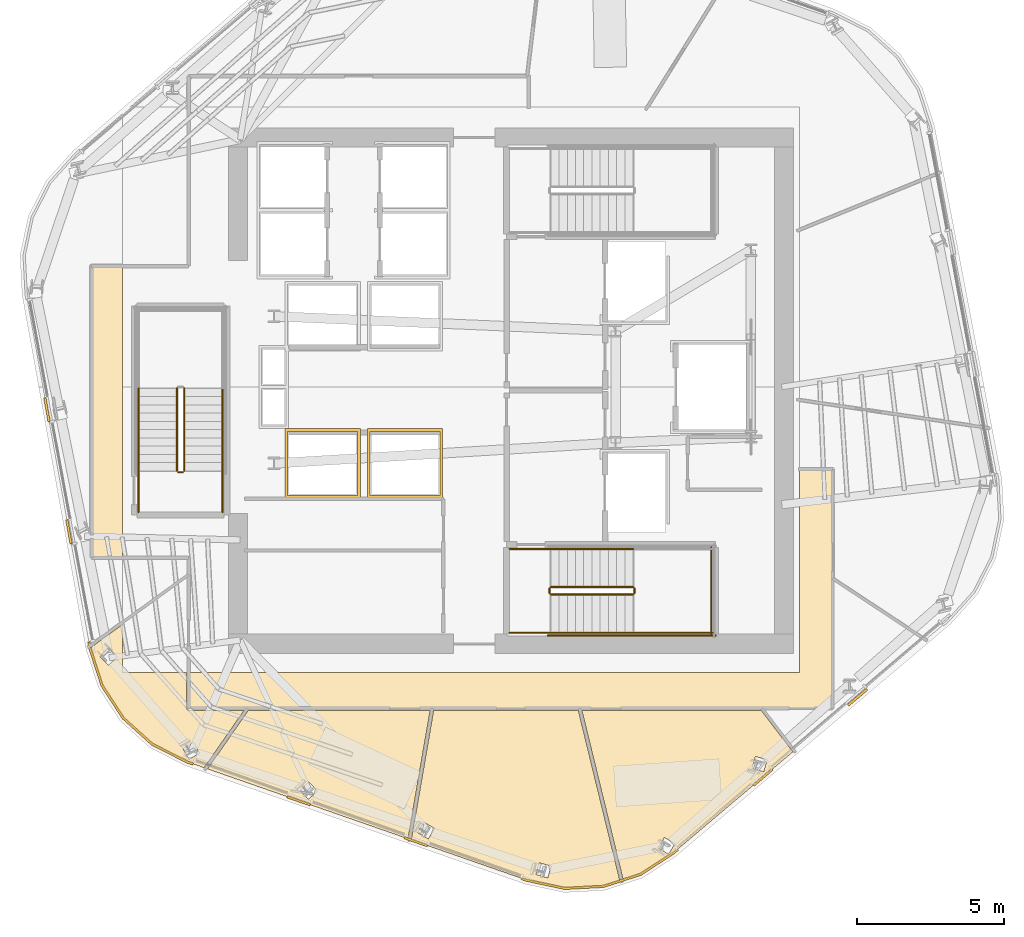
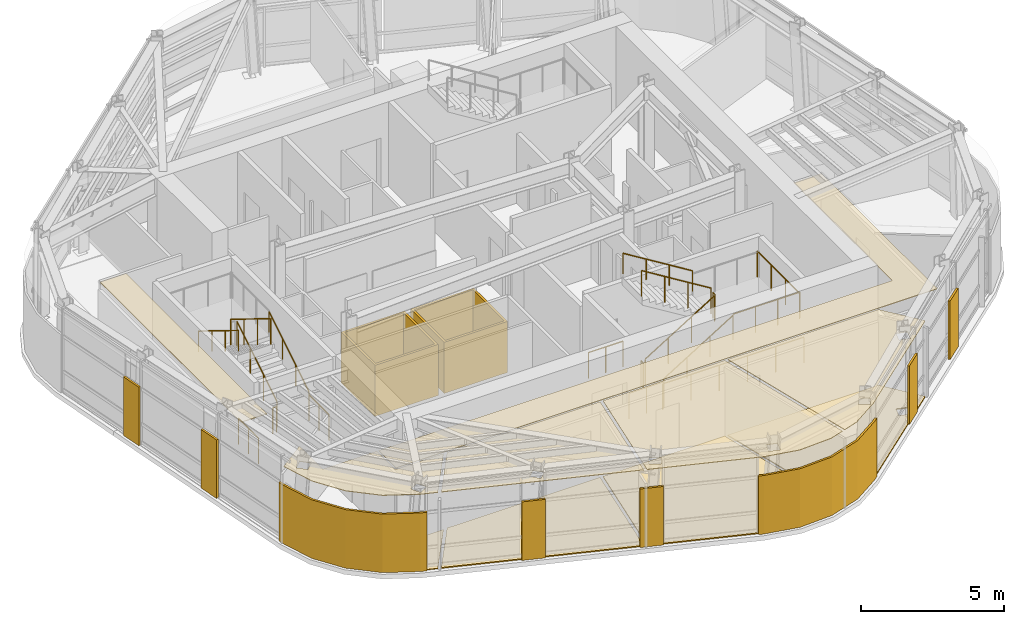
# One storey, part 10 of 14: 20 coverings, 18 railings.
"""IFC4 building model written with IfcOpenShell, lengths in metres."""

import ifcopenshell
import ifcopenshell.guid

model = None  # the IFC model being written
_history = None  # IfcOwnerHistory: only IFC2X3 demands one
_inside = {}  # id of a spatial element -> (the spatial element, [elements in it])
_under = {}  # id of a project, library or spatial element -> (it, [spatial elements below it])
_declared = {}  # id of a project -> (the project, [libraries it declares])
_typed = {}  # id of a type object -> (the type object, [elements of that type])
_made_of = {}  # id of a material, layer set ... -> (it, [elements and type objects made of it])


def new_model(schema):
    """Start an empty IFC model of exactly this schema.

    Asked for "IFC4X3", IfcOpenShell would pick the latest addendum, in which some entities
    have other attributes; the version numbers below select the first issue.
    IFC2X3 requires an IfcOwnerHistory on every rooted entity: one is made here for all.
    """
    global model, _history
    if schema == "IFC4X3":
        model = ifcopenshell.file(schema_version=(4, 3, 0, 0))
    else:
        model = ifcopenshell.file(schema=schema)
    _inside.clear()
    _under.clear()
    _declared.clear()
    _typed.clear()
    _made_of.clear()
    _history = None
    if model.schema == "IFC2X3":
        org = make("IfcOrganization", Name="unknown")
        user = make(
            "IfcPersonAndOrganization",
            ThePerson=make("IfcPerson", FamilyName="unknown"),
            TheOrganization=org,
        )
        app = make(
            "IfcApplication",
            ApplicationDeveloper=org,
            Version="unknown",
            ApplicationFullName="unknown",
            ApplicationIdentifier="unknown",
        )
        _history = make(
            "IfcOwnerHistory",
            OwningUser=user,
            OwningApplication=app,
            ChangeAction="ADDED",
            CreationDate=0,
        )
    return model


def make(cls, **values):
    """One entity of the class cls with the attributes given. An attribute that is None is left unset."""
    return model.create_entity(
        cls, **{name: value for name, value in values.items() if value is not None}
    )


def rooted(cls, **values):
    """An entity with a GlobalId (a new one), such as an element, a storey or a relation."""
    return make(cls, GlobalId=ifcopenshell.guid.new(), OwnerHistory=_history, **values)


def si_unit(unit_type, name, prefix=None):
    """IfcSIUnit, for example si_unit("LENGTHUNIT", "METRE", prefix="MILLI")."""
    return make("IfcSIUnit", UnitType=unit_type, Prefix=prefix, Name=name)


def assignment(units):
    """IfcUnitAssignment: the units of a project."""
    return None if units is None else make("IfcUnitAssignment", Units=units)


def point(xyz):
    """IfcCartesianPoint."""
    return None if xyz is None else make("IfcCartesianPoint", Coordinates=xyz)


def direction(xyz):
    """IfcDirection."""
    return None if xyz is None else make("IfcDirection", DirectionRatios=xyz)


def frame(location, z_axis=None, x_axis=None):
    """IfcAxis2Placement3D, a coordinate frame: its origin and axes. An axis left out is left unset."""
    return make(
        "IfcAxis2Placement3D",
        Location=point(location),
        Axis=direction(z_axis),
        RefDirection=direction(x_axis),
    )


def frame_2d(location, x_axis=None):
    """IfcAxis2Placement2D, a coordinate frame in the plane: its origin and x axis."""
    return make(
        "IfcAxis2Placement2D", Location=point(location), RefDirection=direction(x_axis)
    )


def origin():
    """The frame at (0, 0, 0) with its axes left unset."""
    return frame((0.0, 0.0, 0.0))


def origin_2d():
    """The frame at (0, 0) in the plane with its x axis left unset."""
    return frame_2d((0.0, 0.0))


def place(relative_to, where):
    """IfcLocalPlacement: puts the frame where relative to a parent placement (None: the world)."""
    return make(
        "IfcLocalPlacement", PlacementRelTo=relative_to, RelativePlacement=where
    )


def context(
    kind, dimensions, precision=None, world=None, true_north=None, identifier=None
):
    """IfcGeometricRepresentationContext, for example the 3D "Model" context."""
    return make(
        "IfcGeometricRepresentationContext",
        ContextIdentifier=identifier,
        ContextType=kind,
        CoordinateSpaceDimension=dimensions,
        Precision=precision,
        WorldCoordinateSystem=world,
        TrueNorth=true_north,
    )


def subcontext(parent, identifier, kind, view, scale=None):
    """IfcGeometricRepresentationSubContext, for example "Body" below "Model"."""
    return make(
        "IfcGeometricRepresentationSubContext",
        ContextIdentifier=identifier,
        ContextType=kind,
        ParentContext=parent,
        TargetScale=scale,
        TargetView=view,
    )


def project(units=None, contexts=None):
    """IfcProject with its units and contexts."""
    return rooted(
        "IfcProject",
        Name="project",
        RepresentationContexts=contexts,
        UnitsInContext=assignment(units),
    )


def spatial(cls, under=None, at=None, **own):
    """A site, building, storey or space (cls), placed at a placement, below another one or the project."""
    s = rooted(cls, ObjectPlacement=at, **own)
    if under is not None:
        _under.setdefault(under.id(), (under, []))[1].append(s)
    return s


def polyline(points):
    """IfcPolyline through the points."""
    return make("IfcPolyline", Points=[point(p) for p in points])


def profile(cls, at=None, kind="AREA", **sizes):
    """A parametric profile (cls). Its sizes go by their IFC names, for example OverallWidth=200.0."""
    return make(cls, ProfileType=kind, Position=at, **sizes)


def circle(**sizes):
    """IfcCircleProfileDef."""
    return profile("IfcCircleProfileDef", **sizes)


def outline(outer, holes=None, kind="AREA"):
    """IfcArbitraryClosedProfileDef: a profile drawn as a closed curve; with holes, ...WithVoids."""
    if holes is None:
        return make("IfcArbitraryClosedProfileDef", ProfileType=kind, OuterCurve=outer)
    return make(
        "IfcArbitraryProfileDefWithVoids",
        ProfileType=kind,
        OuterCurve=outer,
        InnerCurves=holes,
    )


def extrude(swept, where, along, depth):
    """IfcExtrudedAreaSolid: the profile swept, set in the frame where, extruded along a direction by depth."""
    return make(
        "IfcExtrudedAreaSolid",
        SweptArea=swept,
        Position=where,
        ExtrudedDirection=direction(along),
        Depth=depth,
    )


def shape(context_of_items, identifier, shape_type, items):
    """IfcShapeRepresentation: the items that make up one representation, for example the "Body"."""
    return make(
        "IfcShapeRepresentation",
        ContextOfItems=context_of_items,
        RepresentationIdentifier=identifier,
        RepresentationType=shape_type,
        Items=items,
    )


def material(Name=None, Category=None):
    """IfcMaterial."""
    return make("IfcMaterial", Name=Name, Category=Category)


def layer(
    of_material, thickness, ventilated=None, Name=None, Category=None, Priority=None
):
    """IfcMaterialLayer: one layer of a wall or slab, of a material (None: an air gap)."""
    return make(
        "IfcMaterialLayer",
        Material=of_material,
        LayerThickness=thickness,
        IsVentilated=ventilated,
        Name=Name,
        Category=Category,
        Priority=Priority,
    )


def layer_set(layers, Name=None):
    """IfcMaterialLayerSet."""
    return make("IfcMaterialLayerSet", MaterialLayers=layers, LayerSetName=Name)


def made_of(thing, what):
    """Note that an element or type object is made of a material, layer set ...; save() writes the relation."""
    if what is not None:
        _made_of.setdefault(what.id(), (what, []))[1].append(thing)
    return thing


def type_object(cls, material=None, **own):
    """A type object (cls), such as IfcWallType, which elements share."""
    return made_of(rooted(cls, **own), material)


def element(
    cls,
    number,
    at=None,
    inside=None,
    cuts=None,
    type_object=None,
    material=None,
    context=None,
    identifier="Body",
    shape_type=None,
    held_by="IfcProductDefinitionShape",
    body=None,
    shapes=None,
    **own,
):
    """One element of the class cls, such as IfcWall. Its Tag is "e" and its number.

    at: its placement. inside: the storey or other place that contains it. cuts: it is an
    opening in that element (IfcRelVoidsElement). A single representation is given by context,
    identifier, shape_type and body (its items); several are given by shapes. held_by: the class
    of the entity that holds the representations. save() writes the other relations.
    """
    e = rooted(cls, Tag="e%d" % number, ObjectPlacement=at, **own)
    if body is not None:
        shapes = [shape(context, identifier, shape_type, body)]
    if shapes is not None:
        e.Representation = make(held_by, Representations=shapes)
    if inside is not None:
        _inside.setdefault(inside.id(), (inside, []))[1].append(e)
    if cuts is not None:
        rooted(
            "IfcRelVoidsElement", RelatingBuildingElement=cuts, RelatedOpeningElement=e
        )
    if type_object is not None:
        _typed.setdefault(type_object.id(), (type_object, []))[1].append(e)
    return made_of(e, material)


def aggregate(whole, parts):
    """IfcRelAggregates: a whole, such as a stair, and the parts it consists of."""
    return rooted("IfcRelAggregates", RelatingObject=whole, RelatedObjects=parts)


def save(model, path):
    """Write the relations noted so far, then the file.

    IfcRelAggregates (storeys below a building ...), IfcRelContainedInSpatialStructure (elements
    in a storey), IfcRelDefinesByType, IfcRelAssociatesMaterial and IfcRelDeclares: one each for
    every whole, place, type object, material and project.
    """
    for whole, parts in _under.values():
        aggregate(whole, parts)
    for where, things in _inside.values():
        rooted(
            "IfcRelContainedInSpatialStructure",
            RelatedElements=things,
            RelatingStructure=where,
        )
    for kind, things in _typed.values():
        rooted("IfcRelDefinesByType", RelatedObjects=things, RelatingType=kind)
    for what, things in _made_of.values():
        rooted("IfcRelAssociatesMaterial", RelatedObjects=things, RelatingMaterial=what)
    for by, libraries in _declared.values():
        rooted("IfcRelDeclares", RelatingContext=by, RelatedDefinitions=libraries)
    model.write(path)


model = new_model("IFC4")

# Units and contexts
model_context = context("Model", 3, precision=1e-05, world=origin(), true_north=direction((0.0, 1.0)))
body_context = subcontext(model_context, "Body", "Model", "MODEL_VIEW")
ifc_project = project(units=[si_unit("LENGTHUNIT", "METRE"), si_unit("AREAUNIT", "SQUARE_METRE"), si_unit("VOLUMEUNIT", "CUBIC_METRE"), si_unit("PLANEANGLEUNIT", "RADIAN"), si_unit("MASSUNIT", "GRAM", prefix="KILO")], contexts=[model_context])

# Site, building, storey
site_placement = place(None, origin())
site = spatial("IfcSite", under=ifc_project, at=site_placement, CompositionType="ELEMENT")
building_placement = place(site_placement, origin())
building = spatial("IfcBuilding", under=site, at=building_placement, Name="Valkerne Bourse Tower", CompositionType="ELEMENT")
storey_placement = place(building_placement, frame((0.0, 0.0, 198.0)))
storey = spatial("IfcBuildingStorey", under=building, at=storey_placement, Name="L50", CompositionType="ELEMENT", Elevation=198.0)

# Coverings
ifc_material_1 = material(Name="Mineral Fiber Acoustic Ceiling Tile", Category="acoustic")
ifc_layer_1 = layer(ifc_material_1, 0.02490234375)
ifc_layer_set_1 = layer_set([ifc_layer_1], Name="Mineral Fiber Acoustic Ceiling Tile")
covering_type_1 = type_object("IfcCoveringType", Name="COV-CEIL-ACT", PredefinedType="CEILING", material=ifc_layer_set_1)
covering_1_placement = place(storey_placement, frame((0.0, 0.0, 3.25)))
element("IfcCovering", 1, at=covering_1_placement, inside=storey, type_object=covering_type_1, Name="L50 Suspended Ceiling 04", PredefinedType="CEILING", context=body_context, shape_type="SweptSolid", body=[
    extrude(outline(polyline([(33.62939453125, 15.751220703125), (32.910888671875, 16.85791015625), (32.4990234375, 18.13037109375), (33.60009765625, 18.925537109375), (33.60009765625, 17.300048828125), (35.781005859375, 17.300048828125), (35.781005859375, 16.07958984375), (35.787353515625, 16.05078125), (35.81396484375, 16.02099609375), (35.849365234375, 16.010986328125), (37.729248046875, 16.010986328125), (36.37548828125, 14.0625), (35.7939453125, 14.26513671875), (34.610107421875, 14.868408203125), (33.62939453125, 15.751220703125)]), holes=[polyline([(36.0185546875, 14.914306640625), (36.0166015625, 14.915771484375), (35.65625, 14.716552734375), (35.855712890625, 14.3544921875), (35.857666015625, 14.352783203125), (36.218017578125, 14.552001953125), (36.0185546875, 14.914306640625)]), polyline([(33.421142578125, 17.829833984375), (33.135498046875, 18.125244140625), (32.83740234375, 17.83740234375), (32.838623046875, 17.83544921875), (33.12451171875, 17.5400390625), (33.422607421875, 17.827880859375), (33.421142578125, 17.829833984375)])]), origin(), (0.0, 0.0, 1.0), 0.02490234375),
])
covering_2_placement = place(storey_placement, frame((0.0, 0.0, 3.25)))
element("IfcCovering", 2, at=covering_2_placement, inside=storey, type_object=covering_type_1, Name="L50 Suspended Ceiling 05", PredefinedType="CEILING", context=body_context, shape_type="SweptSolid", body=[
    extrude(outline(polyline([(44.052001953125, 16.010986328125), (43.298583984375, 11.6494140625), (36.4912109375, 14.022216796875), (37.872802734375, 16.010986328125), (44.052001953125, 16.010986328125)]), holes=[polyline([(39.933837890625, 13.573486328125), (39.931884765625, 13.574462890625), (39.633544921875, 13.29052734375), (39.91845703125, 12.990478515625), (39.92041015625, 12.989501953125), (40.21875, 13.2734375), (39.933837890625, 13.573486328125)])]), origin(), (0.0, 0.0, 1.0), 0.02490234375),
])
covering_3_placement = place(storey_placement, frame((0.0, 0.0, 3.25)))
element("IfcCovering", 3, at=covering_3_placement, inside=storey, type_object=covering_type_1, Name="L50 Suspended Ceiling 06", PredefinedType="CEILING", context=body_context, shape_type="SweptSolid", body=[
    extrude(outline(polyline([(50.61083984375, 10.25537109375), (49.207763671875, 16.010986328125), (55.302001953125, 16.010986328125), (56.37158203125, 14.601806640625), (52.313720703125, 11.17041015625), (51.198486328125, 10.4462890625), (50.61083984375, 10.25537109375)]), holes=[polyline([(52.361572265625, 11.480712890625), (52.009521484375, 11.69384765625), (52.007080078125, 11.693115234375), (51.793701171875, 11.338623046875), (52.145751953125, 11.12548828125), (52.14794921875, 11.126220703125), (52.361572265625, 11.480712890625)]), polyline([(55.499755859375, 14.328857421875), (55.105224609375, 14.44580078125), (55.103271484375, 14.444580078125), (54.986572265625, 14.04736328125), (55.381103515625, 13.930419921875), (55.383056640625, 13.931640625), (55.499755859375, 14.328857421875)])]), origin(), (0.0, 0.0, 1.0), 0.02490234375),
])
covering_4_placement = place(storey_placement, frame((0.0, 0.0, 3.25)))
element("IfcCovering", 4, at=covering_4_placement, inside=storey, type_object=covering_type_1, Name="L50 Suspended Ceiling 07", PredefinedType="CEILING", context=body_context, shape_type="SweptSolid", body=[
    extrude(outline(polyline([(47.325439453125, 10.245849609375), (43.41162109375, 11.610107421875), (44.171630859375, 16.010986328125), (49.086181640625, 16.010986328125), (50.498291015625, 10.21875), (49.943603515625, 10.03857421875), (48.6259765625, 9.969482421875), (47.325439453125, 10.245849609375)]), holes=[polyline([(43.84326171875, 12.21240234375), (43.841064453125, 12.212890625), (43.63134765625, 11.8583984375), (43.987060546875, 11.6474609375), (43.9892578125, 11.64697265625), (44.198974609375, 12.001220703125), (43.84326171875, 12.21240234375)]), polyline([(48.16064453125, 10.71875), (47.76318359375, 10.832763671875), (47.7607421875, 10.83251953125), (47.647705078125, 10.436767578125), (48.045166015625, 10.322509765625), (48.047607421875, 10.32275390625), (48.16064453125, 10.71875)])]), origin(), (0.0, 0.0, 1.0), 0.02490234375),
])
ifc_material_2 = material(Name="Bronze Anodised Aluminium AA 6063-T6", Category="aluminium")
ifc_layer_2 = layer(ifc_material_2, 0.030029296875)
ifc_layer_set_2 = layer_set([ifc_layer_2], Name="Bronze Anodised Aluminium AA 6063-T6")
covering_type_2 = type_object("IfcCoveringType", Name="COV-CEIL-METAL", PredefinedType="CEILING", material=ifc_layer_set_2)
covering_5_placement = place(storey_placement, frame((0.0, 0.0, 3.25)))
element("IfcCovering", 5, at=covering_5_placement, inside=storey, type_object=covering_type_2, Name="L50 Suspended Ceiling 01", PredefinedType="CEILING", context=body_context, shape_type="SweptSolid", body=[
    extrude(outline(polyline([(35.85400390625, 17.300048828125), (56.60009765625, 17.300048828125), (56.60009765625, 24.196044921875), (57.716064453125, 24.196044921875), (57.716064453125, 16.083984375), (35.85400390625, 16.083984375), (35.85400390625, 17.300048828125)])), origin(), (0.0, 0.0, 1.0), 0.02490234375),
])
covering_6_placement = place(storey_placement, frame((0.0, 0.0, 3.25)))
element("IfcCovering", 6, at=covering_6_placement, inside=storey, type_object=covering_type_2, Name="L50 Suspended Ceiling 02", PredefinedType="CEILING", context=body_context, shape_type="SweptSolid", body=[
    extrude(outline(polyline([(32.553955078125, 21.2041015625), (32.553955078125, 21.865234375), (32.58837890625, 21.884521484375), (32.587646484375, 21.88671875), (32.553955078125, 21.9462890625), (32.553955078125, 31.095947265625), (33.60009765625, 31.095947265625), (33.60009765625, 21.2041015625), (32.553955078125, 21.2041015625)])), origin(), (0.0, 0.0, 1.0), 0.02490234375),
])
ifc_layer_3 = layer(ifc_material_2, 0.06005859375)
ifc_layer_set_3 = layer_set([ifc_layer_3], Name="Bronze Anodised Aluminium AA 6063-T6")
covering_type_3 = type_object("IfcCoveringType", Name="COV-CRN-ALUM", PredefinedType="CLADDING", material=ifc_layer_set_3)
covering_7_placement = place(storey_placement, origin())
element("IfcCovering", 7, at=covering_7_placement, inside=storey, type_object=covering_type_3, Name="L50 Wind-Shaped Corner Aluminium Cladding 02", PredefinedType="CLADDING", context=body_context, shape_type="SweptSolid", body=[
    extrude(outline(polyline([(58.278564453125, 16.156494140625), (58.2265625, 16.21728515625), (58.867919921875, 16.759521484375), (58.919921875, 16.69873046875), (58.278564453125, 16.156494140625)])), origin(), (0.0, 0.0, 1.0), 2.5),
])
covering_8_placement = place(storey_placement, origin())
element("IfcCovering", 8, at=covering_8_placement, inside=storey, type_object=covering_type_3, Name="L50 Wind-Shaped Corner Aluminium Cladding 03", PredefinedType="CLADDING", context=body_context, shape_type="SweptSolid", body=[
    extrude(outline(polyline([(55.06201171875, 13.436767578125), (55.01025390625, 13.49755859375), (55.651611328125, 14.0400390625), (55.70361328125, 13.979248046875), (55.06201171875, 13.436767578125)])), origin(), (0.0, 0.0, 1.0), 2.5),
])
covering_9_placement = place(storey_placement, origin())
element("IfcCovering", 9, at=covering_9_placement, inside=storey, type_object=covering_type_3, Name="L50 Wind-Shaped Corner Aluminium Cladding 04", PredefinedType="CLADDING", context=body_context, shape_type="SweptSolid", body=[
    extrude(outline(polyline([(52.33984375, 11.135009765625), (51.2177734375, 10.40625), (49.95166015625, 9.994873046875), (48.622314453125, 9.92529296875), (47.313720703125, 10.203369140625), (47.13134765625, 10.266845703125), (47.158203125, 10.34228515625), (47.335205078125, 10.280517578125), (48.628662109375, 10.005615234375), (49.93701171875, 10.07421875), (51.182861328125, 10.47900390625), (52.2919921875, 11.19921875), (52.435302734375, 11.3203125), (52.4873046875, 11.259521484375), (52.33984375, 11.135009765625)])), origin(), (0.0, 0.0, 1.0), 2.5),
])
covering_10_placement = place(storey_placement, origin())
element("IfcCovering", 10, at=covering_10_placement, inside=storey, type_object=covering_type_3, Name="L50 Wind-Shaped Corner Aluminium Cladding 05", PredefinedType="CLADDING", context=body_context, shape_type="SweptSolid", body=[
    extrude(outline(polyline([(43.154052734375, 11.6533203125), (43.180908203125, 11.728515625), (43.97412109375, 11.4521484375), (43.947265625, 11.376708984375), (43.154052734375, 11.6533203125)])), origin(), (0.0, 0.0, 1.0), 2.5),
])
covering_11_placement = place(storey_placement, origin())
element("IfcCovering", 11, at=covering_11_placement, inside=storey, type_object=covering_type_3, Name="L50 Wind-Shaped Corner Aluminium Cladding 06", PredefinedType="CLADDING", context=body_context, shape_type="SweptSolid", body=[
    extrude(outline(polyline([(39.1767578125, 13.03955078125), (39.203369140625, 13.114990234375), (39.99658203125, 12.83837890625), (39.969970703125, 12.76318359375), (39.1767578125, 13.03955078125)])), origin(), (0.0, 0.0, 1.0), 2.5),
])
covering_12_placement = place(storey_placement, origin())
element("IfcCovering", 12, at=covering_12_placement, inside=storey, type_object=covering_type_3, Name="L50 Wind-Shaped Corner Aluminium Cladding 07", PredefinedType="CLADDING", context=body_context, shape_type="SweptSolid", body=[
    extrude(outline(polyline([(35.776611328125, 14.224609375), (34.5849609375, 14.831787109375), (33.595703125, 15.722412109375), (32.870849609375, 16.8388671875), (32.45751953125, 18.11083984375), (32.4169921875, 18.335693359375), (32.49560546875, 18.350341796875), (32.535400390625, 18.130615234375), (32.943603515625, 16.873779296875), (33.6572265625, 15.77490234375), (34.630615234375, 14.898193359375), (35.80810546875, 14.29833984375), (36.01904296875, 14.224853515625), (35.992431640625, 14.1494140625), (35.776611328125, 14.224609375)])), origin(), (0.0, 0.0, 1.0), 2.5),
])
covering_13_placement = place(storey_placement, origin())
element("IfcCovering", 13, at=covering_13_placement, inside=storey, type_object=covering_type_3, Name="L50 Wind-Shaped Corner Aluminium Cladding 08", PredefinedType="CLADDING", context=body_context, shape_type="SweptSolid", body=[
    extrude(outline(polyline([(31.669921875, 22.481201171875), (31.74853515625, 22.49560546875), (31.897705078125, 21.6689453125), (31.81884765625, 21.654296875), (31.669921875, 22.481201171875)])), origin(), (0.0, 0.0, 1.0), 2.5),
])
covering_14_placement = place(storey_placement, origin())
element("IfcCovering", 14, at=covering_14_placement, inside=storey, type_object=covering_type_3, Name="L50 Wind-Shaped Corner Aluminium Cladding 09", PredefinedType="CLADDING", context=body_context, shape_type="SweptSolid", body=[
    extrude(outline(polyline([(30.9228515625, 26.62646484375), (31.00146484375, 26.640869140625), (31.150390625, 25.814208984375), (31.07177734375, 25.7998046875), (30.9228515625, 26.62646484375)])), origin(), (0.0, 0.0, 1.0), 2.5),
])
ifc_material_3 = material(Name="Galvanised Painted Steel", Category="steel")
ifc_layer_4 = layer(ifc_material_3, 0.044921875)
ifc_layer_set_4 = layer_set([ifc_layer_4], Name="Galvanised Painted Steel")
covering_type_4 = type_object("IfcCoveringType", Name="COV-FLR-RAF", PredefinedType="FLOORING", material=ifc_layer_set_4)
covering_15_placement = place(storey_placement, origin())
element("IfcCovering", 15, at=covering_15_placement, inside=storey, type_object=covering_type_4, Name="L50 Floor Finish 05", PredefinedType="FLOORING", context=body_context, shape_type="SweptSolid", body=[
    extrude(outline(polyline([(44.052001953125, 16.010986328125), (43.298583984375, 11.6494140625), (36.4912109375, 14.022216796875), (37.872802734375, 16.010986328125), (44.052001953125, 16.010986328125)]), holes=[polyline([(39.933837890625, 13.573486328125), (39.931884765625, 13.574462890625), (39.633544921875, 13.29052734375), (39.91845703125, 12.990478515625), (39.92041015625, 12.989501953125), (40.21875, 13.2734375), (39.933837890625, 13.573486328125)])]), origin(), (0.0, 0.0, 1.0), 0.044921875),
])
covering_16_placement = place(storey_placement, origin())
element("IfcCovering", 16, at=covering_16_placement, inside=storey, type_object=covering_type_4, Name="L50 Floor Finish 06", PredefinedType="FLOORING", context=body_context, shape_type="SweptSolid", body=[
    extrude(outline(polyline([(50.61083984375, 10.25537109375), (49.207763671875, 16.010986328125), (55.302001953125, 16.010986328125), (56.37158203125, 14.601806640625), (52.313720703125, 11.17041015625), (51.198486328125, 10.4462890625), (50.61083984375, 10.25537109375)]), holes=[polyline([(52.361572265625, 11.480712890625), (52.009521484375, 11.69384765625), (52.007080078125, 11.693115234375), (51.793701171875, 11.338623046875), (52.145751953125, 11.12548828125), (52.14794921875, 11.126220703125), (52.361572265625, 11.480712890625)]), polyline([(55.499755859375, 14.328857421875), (55.105224609375, 14.44580078125), (55.103271484375, 14.444580078125), (54.986572265625, 14.04736328125), (55.381103515625, 13.930419921875), (55.383056640625, 13.931640625), (55.499755859375, 14.328857421875)])]), origin(), (0.0, 0.0, 1.0), 0.044921875),
])
covering_17_placement = place(storey_placement, origin())
element("IfcCovering", 17, at=covering_17_placement, inside=storey, type_object=covering_type_4, Name="L50 Floor Finish 07", PredefinedType="FLOORING", context=body_context, shape_type="SweptSolid", body=[
    extrude(outline(polyline([(47.325439453125, 10.245849609375), (43.41162109375, 11.610107421875), (44.171630859375, 16.010986328125), (49.086181640625, 16.010986328125), (50.498291015625, 10.21875), (49.943603515625, 10.03857421875), (48.6259765625, 9.969482421875), (47.325439453125, 10.245849609375)]), holes=[polyline([(43.84326171875, 12.21240234375), (43.841064453125, 12.212890625), (43.63134765625, 11.8583984375), (43.987060546875, 11.6474609375), (43.9892578125, 11.64697265625), (44.198974609375, 12.001220703125), (43.84326171875, 12.21240234375)]), polyline([(48.16064453125, 10.71875), (47.76318359375, 10.832763671875), (47.7607421875, 10.83251953125), (47.647705078125, 10.436767578125), (48.045166015625, 10.322509765625), (48.047607421875, 10.32275390625), (48.16064453125, 10.71875)])]), origin(), (0.0, 0.0, 1.0), 0.044921875),
])
ifc_material_4 = material(Name="Polished Granite Stone", Category="masonry")
ifc_layer_5 = layer(ifc_material_4, 0.030029296875)
ifc_layer_set_5 = layer_set([ifc_layer_5], Name="Polished Granite Stone")
covering_type_5 = type_object("IfcCoveringType", Name="COV-FLR-TERRAZZO", PredefinedType="FLOORING", material=ifc_layer_set_5)
covering_18_placement = place(storey_placement, origin())
element("IfcCovering", 18, at=covering_18_placement, inside=storey, type_object=covering_type_5, Name="L50 Floor Finish 04", PredefinedType="FLOORING", context=body_context, shape_type="SweptSolid", body=[
    extrude(outline(polyline([(33.62939453125, 15.751220703125), (32.910888671875, 16.85791015625), (32.4990234375, 18.13037109375), (33.60009765625, 18.925537109375), (33.60009765625, 17.300048828125), (35.781005859375, 17.300048828125), (35.781005859375, 16.07958984375), (35.787353515625, 16.05078125), (35.81396484375, 16.02099609375), (35.849365234375, 16.010986328125), (37.729248046875, 16.010986328125), (36.37548828125, 14.0625), (35.7939453125, 14.26513671875), (34.610107421875, 14.868408203125), (33.62939453125, 15.751220703125)]), holes=[polyline([(36.0185546875, 14.914306640625), (36.0166015625, 14.915771484375), (35.65625, 14.716552734375), (35.855712890625, 14.3544921875), (35.857666015625, 14.352783203125), (36.218017578125, 14.552001953125), (36.0185546875, 14.914306640625)]), polyline([(33.421142578125, 17.829833984375), (33.135498046875, 18.125244140625), (32.83740234375, 17.83740234375), (32.838623046875, 17.83544921875), (33.12451171875, 17.5400390625), (33.422607421875, 17.827880859375), (33.421142578125, 17.829833984375)])]), origin(), (0.0, 0.0, 1.0), 0.030029296875),
])
ifc_material_5 = material(Name="Gypsum Shaftwall Liner Board", Category="gypsum")
ifc_layer_6 = layer(ifc_material_5, 0.080078125)
ifc_layer_set_6 = layer_set([ifc_layer_6], Name="Gypsum Shaftwall Liner Board")
covering_type_6 = type_object("IfcCoveringType", Name="COV-SHF-CLAD", PredefinedType="CLADDING", material=ifc_layer_set_6)
covering_19_placement = place(storey_placement, origin())
element("IfcCovering", 19, at=covering_19_placement, inside=storey, type_object=covering_type_6, Name="L50 Hoistway & Riser Shaftwall Liner 01", PredefinedType="CLADDING", context=body_context, shape_type="SweptSolid", body=[
    extrude(outline(polyline([(41.679931640625, 25.580078125), (41.679931640625, 23.219970703125), (39.1201171875, 23.219970703125), (39.1201171875, 25.580078125), (41.679931640625, 25.580078125)]), holes=[polyline([(41.590087890625, 25.489990234375), (39.2099609375, 25.489990234375), (39.2099609375, 23.31005859375), (41.590087890625, 23.31005859375), (41.590087890625, 25.489990234375)])]), origin(), (0.0, 0.0, 1.0), 2.179931640625),
])
covering_20_placement = place(storey_placement, origin())
element("IfcCovering", 20, at=covering_20_placement, inside=storey, type_object=covering_type_6, Name="L50 Hoistway & Riser Shaftwall Liner 02", PredefinedType="CLADDING", context=body_context, shape_type="SweptSolid", body=[
    extrude(outline(polyline([(44.47998046875, 23.219970703125), (41.919921875, 23.219970703125), (41.919921875, 25.580078125), (44.47998046875, 25.580078125), (44.47998046875, 23.219970703125)]), holes=[polyline([(42.010009765625, 25.489990234375), (42.010009765625, 23.31005859375), (44.389892578125, 23.31005859375), (44.389892578125, 25.489990234375), (42.010009765625, 25.489990234375)])]), origin(), (0.0, 0.0, 1.0), 2.179931640625),
])

# Railings
railing_type_1 = type_object("IfcRailingType", Name="RLG-ST-GUARD-1120", PredefinedType="GUARDRAIL", material=ifc_material_3)
railing_1_placement = place(storey_placement, frame((48.14990234375, 19.949951171875, 0.172607421875)))
element("IfcRailing", 21, at=railing_1_placement, inside=storey, type_object=railing_type_1, Name="L50 ST-1 stair guard 1", PredefinedType="GUARDRAIL", context=body_context, shape_type="SweptSolid", body=[
    extrude(circle(Radius=0.02392578125, at=origin_2d()), frame((0.0, 0.0, 1.09619140625), z_axis=(0.851089632645, 0.0, 0.525020415988), x_axis=(0.0, 1.0, 0.0)), (0.0, 0.0, 1.0), 3.2900390625),
    extrude(circle(Radius=0.02099609375, at=origin_2d()), origin(), (0.0, 0.0, 1.0), 1.072021484375),
    extrude(circle(Radius=0.02099609375, at=origin_2d()), frame((0.933349609375, 0.0, 0.57568359375)), (0.0, 0.0, 1.0), 1.072021484375),
    extrude(circle(Radius=0.02099609375, at=origin_2d()), frame((1.86669921875, 0.0, 1.151611328125)), (0.0, 0.0, 1.0), 1.072021484375),
    extrude(circle(Radius=0.02099609375, at=origin_2d()), frame((2.800048828125, 0.0, 1.727294921875)), (0.0, 0.0, 1.0), 1.072021484375),
])
railing_2_placement = place(storey_placement, frame((51.0, 20.0, 1.89990234375)))
element("IfcRailing", 22, at=railing_2_placement, inside=storey, type_object=railing_type_1, Name="L50 ST-1 stair guard 2", PredefinedType="GUARDRAIL", context=body_context, shape_type="SweptSolid", body=[
    extrude(circle(Radius=0.02392578125, at=origin_2d()), frame((0.0, 0.0, 1.09619140625), z_axis=(0.0, 1.0, 0.0), x_axis=(-1.0, 0.0, 0.0)), (0.0, 0.0, 1.0), 0.14990234375),
    extrude(circle(Radius=0.02099609375, at=origin_2d()), origin(), (0.0, 0.0, 1.0), 1.072021484375),
    extrude(circle(Radius=0.02099609375, at=origin_2d()), frame((0.0, 0.14990234375, 0.0)), (0.0, 0.0, 1.0), 1.072021484375),
])
railing_3_placement = place(storey_placement, frame((50.949951171875, 18.64990234375, 1.89990234375)))
element("IfcRailing", 23, at=railing_3_placement, inside=storey, type_object=railing_type_1, Name="L50 ST-1 stair guard 3", PredefinedType="GUARDRAIL", context=body_context, shape_type="SweptSolid", body=[
    extrude(circle(Radius=0.02392578125, at=origin_2d()), frame((0.0, 0.0, 1.09619140625), z_axis=(1.0, 0.0, 0.0), x_axis=(0.0, 1.0, 0.0)), (0.0, 0.0, 1.0), 2.699951171875),
    extrude(circle(Radius=0.02099609375, at=origin_2d()), origin(), (0.0, 0.0, 1.0), 1.072021484375),
    extrude(circle(Radius=0.02099609375, at=origin_2d()), frame((0.89990234375, 0.0, 0.0)), (0.0, 0.0, 1.0), 1.072021484375),
    extrude(circle(Radius=0.02099609375, at=origin_2d()), frame((1.800048828125, 0.0, 0.0)), (0.0, 0.0, 1.0), 1.072021484375),
    extrude(circle(Radius=0.02099609375, at=origin_2d()), frame((2.699951171875, 0.0, 0.0)), (0.0, 0.0, 1.0), 1.072021484375),
])
railing_4_placement = place(storey_placement, frame((53.60009765625, 18.60009765625, 1.89990234375)))
element("IfcRailing", 24, at=railing_4_placement, inside=storey, type_object=railing_type_1, Name="L50 ST-1 stair guard 5", PredefinedType="GUARDRAIL", context=body_context, shape_type="SweptSolid", body=[
    extrude(circle(Radius=0.02392578125, at=origin_2d()), frame((0.0, 0.0, 1.09619140625), z_axis=(0.0, 1.0, 0.0), x_axis=(-1.0, 0.0, 0.0)), (0.0, 0.0, 1.0), 2.949951171875),
    extrude(circle(Radius=0.02099609375, at=origin_2d()), origin(), (0.0, 0.0, 1.0), 1.072021484375),
    extrude(circle(Radius=0.02099609375, at=origin_2d()), frame((0.0, 0.9833984375, 0.0)), (0.0, 0.0, 1.0), 1.072021484375),
    extrude(circle(Radius=0.02099609375, at=origin_2d()), frame((0.0, 1.966552734375, 0.0)), (0.0, 0.0, 1.0), 1.072021484375),
    extrude(circle(Radius=0.02099609375, at=origin_2d()), frame((0.0, 2.949951171875, 0.0)), (0.0, 0.0, 1.0), 1.072021484375),
])
railing_5_placement = place(storey_placement, frame((50.949951171875, 20.199951171875, 2.07275390625)))
element("IfcRailing", 25, at=railing_5_placement, inside=storey, type_object=railing_type_1, Name="L50 ST-1 stair guard 6", PredefinedType="GUARDRAIL", context=body_context, shape_type="SweptSolid", body=[
    extrude(circle(Radius=0.02392578125, at=origin_2d()), frame((0.0, 0.0, 1.09619140625), z_axis=(-0.851089632645, 0.0, 0.525020415988), x_axis=(0.0, -1.0, 0.0)), (0.0, 0.0, 1.0), 3.2900390625),
    extrude(circle(Radius=0.02099609375, at=origin_2d()), origin(), (0.0, 0.0, 1.0), 1.072021484375),
    extrude(circle(Radius=0.02099609375, at=origin_2d()), frame((-0.933349609375, 0.0, 0.57568359375)), (0.0, 0.0, 1.0), 1.072021484375),
    extrude(circle(Radius=0.02099609375, at=origin_2d()), frame((-1.86669921875, 0.0, 1.151611328125)), (0.0, 0.0, 1.0), 1.072021484375),
    extrude(circle(Radius=0.02099609375, at=origin_2d()), frame((-2.800048828125, 0.0, 1.727294921875)), (0.0, 0.0, 1.0), 1.072021484375),
])
railing_6_placement = place(storey_placement, frame((48.10009765625, 20.0, 0.0)))
element("IfcRailing", 26, at=railing_6_placement, inside=storey, type_object=railing_type_1, Name="L50 ST-1 stair guard 7", PredefinedType="GUARDRAIL", context=body_context, shape_type="SweptSolid", body=[
    extrude(circle(Radius=0.02392578125, at=origin_2d()), frame((0.0, 0.0, 1.09619140625), z_axis=(0.0, 1.0, 0.0), x_axis=(-1.0, 0.0, 0.0)), (0.0, 0.0, 1.0), 0.14990234375),
    extrude(circle(Radius=0.02099609375, at=origin_2d()), origin(), (0.0, 0.0, 1.0), 1.072021484375),
    extrude(circle(Radius=0.02099609375, at=origin_2d()), frame((0.0, 0.14990234375, 0.0)), (0.0, 0.0, 1.0), 1.072021484375),
])
for number, where, name in (
    (27, (46.75, 18.64990234375, 0.0), "L50 ST-1 stair guard 8"),
    (28, (46.75, 21.5, 0.0), "L50 ST-1 stair guard 9"),
):
    element("IfcRailing", number, at=place(storey_placement, frame(where)), inside=storey, type_object=railing_type_1, Name=name, PredefinedType="GUARDRAIL", context=body_context, shape_type="SweptSolid", body=[
        extrude(circle(Radius=0.02392578125, at=origin_2d()), frame((0.0, 0.0, 1.09619140625), z_axis=(1.0, 0.0, 0.0), x_axis=(0.0, 1.0, 0.0)), (0.0, 0.0, 1.0), 1.39990234375),
        extrude(circle(Radius=0.02099609375, at=origin_2d()), origin(), (0.0, 0.0, 1.0), 1.072021484375),
        extrude(circle(Radius=0.02099609375, at=origin_2d()), frame((0.699951171875, 0.0, 0.0)), (0.0, 0.0, 1.0), 1.072021484375),
        extrude(circle(Radius=0.02099609375, at=origin_2d()), frame((1.39990234375, 0.0, 0.0)), (0.0, 0.0, 1.0), 1.072021484375),
    ])
railing_7_placement = place(storey_placement, frame((48.050048828125, 18.550048828125, 0.0)))
element("IfcRailing", 29, at=railing_7_placement, inside=storey, type_object=railing_type_1, Name="L50 ST-1 stair guard 10", PredefinedType="GUARDRAIL", context=body_context, shape_type="SweptSolid", body=[
    extrude(circle(Radius=0.02392578125, at=origin_2d()), frame((0.0, 0.0, 1.09619140625), z_axis=(1.0, 0.0, 0.0), x_axis=(0.0, 1.0, 0.0)), (0.0, 0.0, 1.0), 5.699951171875),
    extrude(circle(Radius=0.02099609375, at=origin_2d()), origin(), (0.0, 0.0, 1.0), 1.072021484375),
    extrude(circle(Radius=0.02099609375, at=origin_2d()), frame((1.139892578125, 0.0, 0.0)), (0.0, 0.0, 1.0), 1.072021484375),
    extrude(circle(Radius=0.02099609375, at=origin_2d()), frame((2.280029296875, 0.0, 0.0)), (0.0, 0.0, 1.0), 1.072021484375),
    extrude(circle(Radius=0.02099609375, at=origin_2d()), frame((3.419921875, 0.0, 0.0)), (0.0, 0.0, 1.0), 1.072021484375),
    extrude(circle(Radius=0.02099609375, at=origin_2d()), frame((4.56005859375, 0.0, 0.0)), (0.0, 0.0, 1.0), 1.072021484375),
    extrude(circle(Radius=0.02099609375, at=origin_2d()), frame((5.699951171875, 0.0, 0.0)), (0.0, 0.0, 1.0), 1.072021484375),
])
railing_8_placement = place(storey_placement, frame((35.699951171875, 24.14990234375, 0.172607421875)))
element("IfcRailing", 30, at=railing_8_placement, inside=storey, type_object=railing_type_1, Name="L50 ST-3 stair guard 1", PredefinedType="GUARDRAIL", context=body_context, shape_type="SweptSolid", body=[
    extrude(circle(Radius=0.02392578125, at=origin_2d()), frame((0.0, 0.0, 1.09619140625), z_axis=(0.0, 0.851089632645, 0.525020415988), x_axis=(-1.0, 0.0, 0.0)), (0.0, 0.0, 1.0), 3.2900390625),
    extrude(circle(Radius=0.02099609375, at=origin_2d()), origin(), (0.0, 0.0, 1.0), 1.072021484375),
    extrude(circle(Radius=0.02099609375, at=origin_2d()), frame((0.0, 0.933349609375, 0.57568359375)), (0.0, 0.0, 1.0), 1.072021484375),
    extrude(circle(Radius=0.02099609375, at=origin_2d()), frame((0.0, 1.86669921875, 1.151611328125)), (0.0, 0.0, 1.0), 1.072021484375),
    extrude(circle(Radius=0.02099609375, at=origin_2d()), frame((0.0, 2.800048828125, 1.727294921875)), (0.0, 0.0, 1.0), 1.072021484375),
])
railing_9_placement = place(storey_placement, frame((35.449951171875, 26.949951171875, 2.07275390625)))
element("IfcRailing", 31, at=railing_9_placement, inside=storey, type_object=railing_type_1, Name="L50 ST-3 stair guard 6", PredefinedType="GUARDRAIL", context=body_context, shape_type="SweptSolid", body=[
    extrude(circle(Radius=0.02392578125, at=origin_2d()), frame((0.0, 0.0, 1.09619140625), z_axis=(0.0, -0.851089632645, 0.525020415988), x_axis=(1.0, 0.0, 0.0)), (0.0, 0.0, 1.0), 3.2900390625),
    extrude(circle(Radius=0.02099609375, at=origin_2d()), origin(), (0.0, 0.0, 1.0), 1.072021484375),
    extrude(circle(Radius=0.02099609375, at=origin_2d()), frame((0.0, -0.933349609375, 0.57568359375)), (0.0, 0.0, 1.0), 1.072021484375),
    extrude(circle(Radius=0.02099609375, at=origin_2d()), frame((0.0, -1.86669921875, 1.151611328125)), (0.0, 0.0, 1.0), 1.072021484375),
    extrude(circle(Radius=0.02099609375, at=origin_2d()), frame((0.0, -2.800048828125, 1.727294921875)), (0.0, 0.0, 1.0), 1.072021484375),
])
railing_10_placement = place(storey_placement, frame((35.64990234375, 24.10009765625, 0.0)))
element("IfcRailing", 32, at=railing_10_placement, inside=storey, type_object=railing_type_1, Name="L50 ST-3 stair guard 7", PredefinedType="GUARDRAIL", context=body_context, shape_type="SweptSolid", body=[
    extrude(circle(Radius=0.02392578125, at=origin_2d()), frame((0.0, 0.0, 1.09619140625), z_axis=(-1.0, 0.0, 0.0), x_axis=(0.0, -1.0, 0.0)), (0.0, 0.0, 1.0), 0.14990234375),
    extrude(circle(Radius=0.02099609375, at=origin_2d()), origin(), (0.0, 0.0, 1.0), 1.072021484375),
    extrude(circle(Radius=0.02099609375, at=origin_2d()), frame((-0.14990234375, 0.0, 0.0)), (0.0, 0.0, 1.0), 1.072021484375),
])
for number, where, name in (
    (33, (37.0, 22.75, 0.0), "L50 ST-3 stair guard 8"),
    (34, (34.14990234375, 22.75, 0.0), "L50 ST-3 stair guard 9"),
):
    element("IfcRailing", number, at=place(storey_placement, frame(where)), inside=storey, type_object=railing_type_1, Name=name, PredefinedType="GUARDRAIL", context=body_context, shape_type="SweptSolid", body=[
        extrude(circle(Radius=0.02392578125, at=origin_2d()), frame((0.0, 0.0, 1.09619140625), z_axis=(0.0, 1.0, 0.0), x_axis=(-1.0, 0.0, 0.0)), (0.0, 0.0, 1.0), 1.39990234375),
        extrude(circle(Radius=0.02099609375, at=origin_2d()), origin(), (0.0, 0.0, 1.0), 1.072021484375),
        extrude(circle(Radius=0.02099609375, at=origin_2d()), frame((0.0, 0.699951171875, 0.0)), (0.0, 0.0, 1.0), 1.072021484375),
        extrude(circle(Radius=0.02099609375, at=origin_2d()), frame((0.0, 1.39990234375, 0.0)), (0.0, 0.0, 1.0), 1.072021484375),
    ])
ifc_material_6 = material(Name="Stainless Steel AISI 316", Category="steel")
railing_type_2 = type_object("IfcRailingType", Name="RLG-ST-HANDRAIL-900", PredefinedType="HANDRAIL", material=ifc_material_6)
railing_11_placement = place(storey_placement, frame((48.14990234375, 18.64990234375, 0.345458984375)))
element("IfcRailing", 35, at=railing_11_placement, inside=storey, type_object=railing_type_2, Name="L50 ST-1 stair handrail 1", PredefinedType="HANDRAIL", context=body_context, shape_type="SweptSolid", body=[
    extrude(circle(Radius=0.02392578125, at=origin_2d()), frame((0.0, 0.0, 0.8759765625), z_axis=(0.851089632645, 0.0, 0.525020415988), x_axis=(0.0, 1.0, 0.0)), (0.0, 0.0, 1.0), 3.2900390625),
    extrude(circle(Radius=0.02099609375, at=origin_2d()), origin(), (0.0, 0.0, 1.0), 0.851806640625),
    extrude(circle(Radius=0.02099609375, at=origin_2d()), frame((0.933349609375, 0.0, 0.57568359375)), (0.0, 0.0, 1.0), 0.851806640625),
    extrude(circle(Radius=0.02099609375, at=origin_2d()), frame((1.86669921875, 0.0, 1.151611328125)), (0.0, 0.0, 1.0), 0.851806640625),
    extrude(circle(Radius=0.02099609375, at=origin_2d()), frame((2.800048828125, 0.0, 1.727294921875)), (0.0, 0.0, 1.0), 0.851806640625),
])
railing_12_placement = place(storey_placement, frame((50.949951171875, 21.5, 2.245361328125)))
element("IfcRailing", 36, at=railing_12_placement, inside=storey, type_object=railing_type_2, Name="L50 ST-1 stair handrail 2", PredefinedType="HANDRAIL", context=body_context, shape_type="SweptSolid", body=[
    extrude(circle(Radius=0.02392578125, at=origin_2d()), frame((0.0, 0.0, 0.8759765625), z_axis=(-0.851089632645, 0.0, 0.525020415988), x_axis=(0.0, -1.0, 0.0)), (0.0, 0.0, 1.0), 3.2900390625),
    extrude(circle(Radius=0.02099609375, at=origin_2d()), origin(), (0.0, 0.0, 1.0), 0.851806640625),
    extrude(circle(Radius=0.02099609375, at=origin_2d()), frame((-0.933349609375, 0.0, 0.57568359375)), (0.0, 0.0, 1.0), 0.851806640625),
    extrude(circle(Radius=0.02099609375, at=origin_2d()), frame((-1.86669921875, 0.0, 1.151611328125)), (0.0, 0.0, 1.0), 0.851806640625),
    extrude(circle(Radius=0.02099609375, at=origin_2d()), frame((-2.800048828125, 0.0, 1.727294921875)), (0.0, 0.0, 1.0), 0.851806640625),
])
railing_13_placement = place(storey_placement, frame((37.0, 24.14990234375, 0.345458984375)))
element("IfcRailing", 37, at=railing_13_placement, inside=storey, type_object=railing_type_2, Name="L50 ST-3 stair handrail 1", PredefinedType="HANDRAIL", context=body_context, shape_type="SweptSolid", body=[
    extrude(circle(Radius=0.02392578125, at=origin_2d()), frame((0.0, 0.0, 0.8759765625), z_axis=(0.0, 0.851089632645, 0.525020415988), x_axis=(-1.0, 0.0, 0.0)), (0.0, 0.0, 1.0), 3.2900390625),
    extrude(circle(Radius=0.02099609375, at=origin_2d()), origin(), (0.0, 0.0, 1.0), 0.851806640625),
    extrude(circle(Radius=0.02099609375, at=origin_2d()), frame((0.0, 0.933349609375, 0.57568359375)), (0.0, 0.0, 1.0), 0.851806640625),
    extrude(circle(Radius=0.02099609375, at=origin_2d()), frame((0.0, 1.86669921875, 1.151611328125)), (0.0, 0.0, 1.0), 0.851806640625),
    extrude(circle(Radius=0.02099609375, at=origin_2d()), frame((0.0, 2.800048828125, 1.727294921875)), (0.0, 0.0, 1.0), 0.851806640625),
])
railing_14_placement = place(storey_placement, frame((34.14990234375, 26.949951171875, 2.245361328125)))
element("IfcRailing", 38, at=railing_14_placement, inside=storey, type_object=railing_type_2, Name="L50 ST-3 stair handrail 2", PredefinedType="HANDRAIL", context=body_context, shape_type="SweptSolid", body=[
    extrude(circle(Radius=0.02392578125, at=origin_2d()), frame((0.0, 0.0, 0.8759765625), z_axis=(0.0, -0.851089632645, 0.525020415988), x_axis=(1.0, 0.0, 0.0)), (0.0, 0.0, 1.0), 3.2900390625),
    extrude(circle(Radius=0.02099609375, at=origin_2d()), origin(), (0.0, 0.0, 1.0), 0.851806640625),
    extrude(circle(Radius=0.02099609375, at=origin_2d()), frame((0.0, -0.933349609375, 0.57568359375)), (0.0, 0.0, 1.0), 0.851806640625),
    extrude(circle(Radius=0.02099609375, at=origin_2d()), frame((0.0, -1.86669921875, 1.151611328125)), (0.0, 0.0, 1.0), 0.851806640625),
    extrude(circle(Radius=0.02099609375, at=origin_2d()), frame((0.0, -2.800048828125, 1.727294921875)), (0.0, 0.0, 1.0), 0.851806640625),
])

save(model, "model.ifc")
